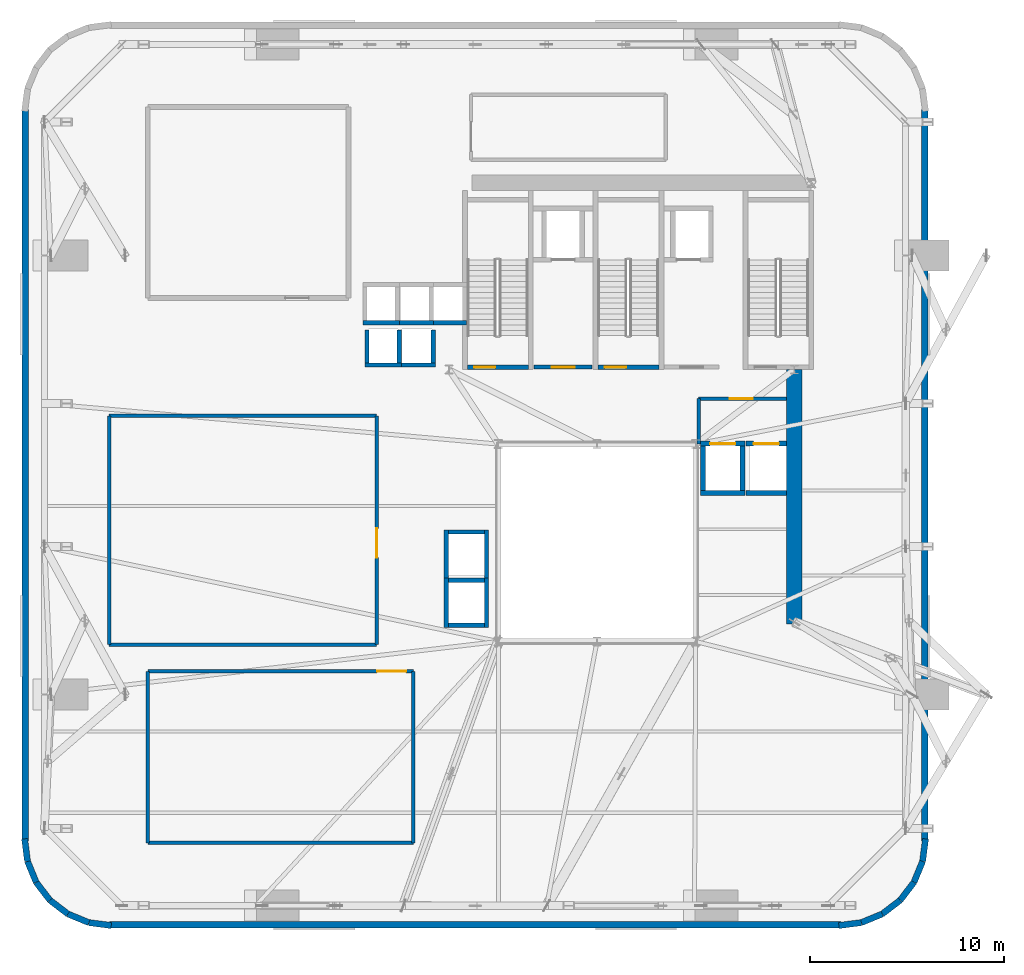
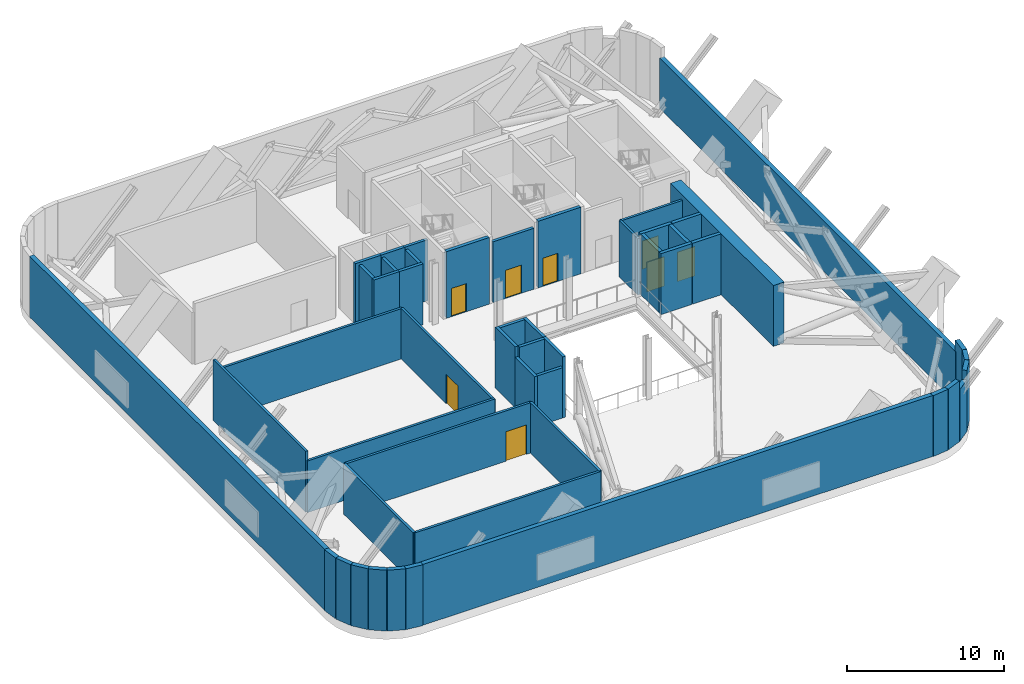
# One storey, part 8 of 12: 50 walls, 8 doors, 8 openings.
"""IFC4 building model written with IfcOpenShell, lengths in metres."""

from ifc_helpers import new_model, si_unit, direction, frame, frame_2d, origin, place, context, subcontext, project, spatial, rectangle, extrude, source, transform, mapped, material, layer, layer_set, type_object, element, fill, save


model = new_model("IFC4")

# Units and contexts
model_context = context("Model", 3, precision=1e-05, world=origin(), true_north=direction((0.0, 1.0)))
body_context = subcontext(model_context, "Body", "Model", "MODEL_VIEW")
ifc_project = project(units=[si_unit("LENGTHUNIT", "METRE"), si_unit("AREAUNIT", "SQUARE_METRE"), si_unit("VOLUMEUNIT", "CUBIC_METRE"), si_unit("PLANEANGLEUNIT", "RADIAN"), si_unit("MASSUNIT", "GRAM", prefix="KILO")], contexts=[model_context])

# Site, building, storey
site_placement = place(None, origin())
site = spatial("IfcSite", under=ifc_project, at=site_placement, CompositionType="ELEMENT")
building_placement = place(site_placement, origin())
building = spatial("IfcBuilding", under=site, at=building_placement, Name="Vardaveli Station Tower", CompositionType="ELEMENT")
storey_placement = place(building_placement, frame((0.0, 0.0, 166.800048828125)))
storey = spatial("IfcBuildingStorey", under=building, at=storey_placement, Name="L43", CompositionType="ELEMENT", Elevation=166.800048828125)

# Walls
ifc_material_1 = material(Name="Concrete C50/60", Category="concrete")
ifc_layer_1 = layer(ifc_material_1, 0.800048828125, Name="Concrete C50/60")
ifc_layer_set_1 = layer_set([ifc_layer_1], Name="Concrete C50/60")
wall_type_1 = type_object("IfcWallType", Name="WAL-CORE-800", PredefinedType="SHEAR", material=ifc_layer_set_1)
shared_shape_1 = source(origin(), body_context, "Body", "SweptSolid", [
    extrude(rectangle(XDim=13.14990234375, YDim=0.800048828125, at=frame_2d((6.574951171875, 0.0))), origin(), (0.0, 0.0, 1.0), 4.75),
])
wall_1_placement = place(storey_placement, frame((46.5, 17.5, 0.0), z_axis=(0.0, 0.0, 1.0), x_axis=(0.0, 1.0, 0.0)))
element("IfcWall", 1, at=wall_1_placement, inside=storey, type_object=wall_type_1, Name="SW-L43-EAST2", PredefinedType="SHEAR", context=body_context, shape_type="MappedRepresentation", body=[
    mapped(shared_shape_1, transform((0.0, 0.0, 0.0), scale=1.0)),
])
ifc_material_2 = material(Name="Precast concrete C45/55", Category="concrete")
ifc_layer_2 = layer(ifc_material_2, 0.320068359375, Name="Precast concrete C45/55")
ifc_layer_set_2 = layer_set([ifc_layer_2], Name="Precast concrete C45/55")
wall_type_2 = type_object("IfcWallType", Name="WAL-EXT-STONE-320", PredefinedType="SOLIDWALL", material=ifc_layer_set_2)
shared_shape_2 = source(origin(), body_context, "Body", "SweptSolid", [
    extrude(rectangle(XDim=37.7998046875, YDim=0.320068359375, at=frame_2d((18.89990234375, 0.0))), origin(), (0.0, 0.0, 1.0), 4.75),
])
wall_2_placement = place(storey_placement, frame((11.10009765625, 1.9599609375, 0.0), z_axis=(0.0, 0.0, 1.0), x_axis=(1.0, 0.0, 0.0)))
element("IfcWall", 2, at=wall_2_placement, inside=storey, type_object=wall_type_2, Name="EW-L43-S", PredefinedType="SOLIDWALL", context=body_context, shape_type="MappedRepresentation", body=[
    mapped(shared_shape_2, transform((0.0, 0.0, 0.0), scale=1.0)),
])
shared_shape_3 = source(origin(), body_context, "Body", "SweptSolid", [
    extrude(rectangle(XDim=37.800048828125, YDim=0.320068359375, at=frame_2d((18.89990234375, 0.0))), origin(), (0.0, 0.0, 1.0), 4.75),
])
wall_3_placement = place(storey_placement, frame((6.760009765625, 44.10009765625, 0.0), z_axis=(0.0, 0.0, 1.0), x_axis=(0.0, -1.0, 0.0)))
element("IfcWall", 3, at=wall_3_placement, inside=storey, type_object=wall_type_2, Name="EW-L43-W", PredefinedType="SOLIDWALL", context=body_context, shape_type="MappedRepresentation", body=[
    mapped(shared_shape_3, transform((0.0, 0.0, 0.0), scale=1.0)),
])
shared_shape_4 = source(origin(), body_context, "Body", "SweptSolid", [
    extrude(rectangle(XDim=37.800048828125, YDim=0.320068359375, at=frame_2d((18.89990234375, 0.0))), origin(), (0.0, 0.0, 1.0), 3.930908203125),
])
wall_4_placement = place(storey_placement, frame((53.239990234375, 6.300048828125, 0.0), z_axis=(0.0, 0.0, 1.0), x_axis=(0.0, 1.0, 0.0)))
element("IfcWall", 4, at=wall_4_placement, inside=storey, type_object=wall_type_2, Name="EW-L43-E", PredefinedType="SOLIDWALL", context=body_context, shape_type="MappedRepresentation", body=[
    mapped(shared_shape_4, transform((0.0, 0.0, 0.0), scale=1.0)),
])
shared_shape_5 = source(origin(), body_context, "Body", "SweptSolid", [
    extrude(rectangle(XDim=1.170654296875, YDim=0.320068359375, at=frame_2d((0.58544921875, 0.0))), origin(), (0.0, 0.0, 1.0), 4.75),
])
for number, where, z_axis, x_axis, name in (
    (5, (6.724365234375, 6.400634765625, 0.0), (0.0, 0.0, 1.0), (0.128269133229, -0.991739395941, 0.0), "EW-L43-CR1-1"),
    (6, (53.12548828125, 5.23974609375, 0.0), (0.0, 0.0, 1.0), (0.128269133229, 0.991739395941, 0.0), "EW-L43-CR2-6"),
):
    element("IfcWall", number, at=place(storey_placement, frame(where, z_axis=z_axis, x_axis=x_axis)), inside=storey, type_object=wall_type_2, Name=name, PredefinedType="SOLIDWALL", context=body_context, shape_type="MappedRepresentation", body=[
        mapped(shared_shape_5, transform((0.0, 0.0, 0.0), scale=1.0)),
    ])
shared_shape_6 = source(origin(), body_context, "Body", "SweptSolid", [
    extrude(rectangle(XDim=1.1689453125, YDim=0.320068359375, at=frame_2d((0.58447265625, 0.0))), origin(), (0.0, 0.0, 1.0), 4.75),
])
for number, where, z_axis, x_axis, name in (
    (7, (6.87451171875, 5.23974609375, 0.0), (0.0, 0.0, 1.0), (0.381127904695, -0.924522320046, 0.0), "EW-L43-CR1-2"),
    (8, (7.320068359375, 4.158935546875, 0.0), (0.0, 0.0, 1.0), (0.608387696831, -0.793639975269, 0.0), "EW-L43-CR1-3"),
    (9, (51.96875, 3.231201171875, 0.0), (0.0, 0.0, 1.0), (0.608387696831, 0.793639975269, 0.0), "EW-L43-CR2-4"),
    (10, (52.679931640625, 4.158935546875, 0.0), (0.0, 0.0, 1.0), (0.381127904695, 0.924522320046, 0.0), "EW-L43-CR2-5"),
):
    element("IfcWall", number, at=place(storey_placement, frame(where, z_axis=z_axis, x_axis=x_axis)), inside=storey, type_object=wall_type_2, Name=name, PredefinedType="SOLIDWALL", context=body_context, shape_type="MappedRepresentation", body=[
        mapped(shared_shape_6, transform((0.0, 0.0, 0.0), scale=1.0)),
    ])
shared_shape_7 = source(origin(), body_context, "Body", "SweptSolid", [
    extrude(rectangle(XDim=1.168701171875, YDim=0.320068359375, at=frame_2d((0.58447265625, 0.0))), origin(), (0.0, 0.0, 1.0), 4.75),
])
wall_5_placement = place(storey_placement, frame((8.03125, 3.231201171875, 0.0), z_axis=(0.0, 0.0, 1.0), x_axis=(0.793663520347, -0.608356981114, 0.0)))
element("IfcWall", 11, at=wall_5_placement, inside=storey, type_object=wall_type_2, Name="EW-L43-CR1-4", PredefinedType="SOLIDWALL", context=body_context, shape_type="MappedRepresentation", body=[
    mapped(shared_shape_7, transform((0.0, 0.0, 0.0), scale=1.0)),
])
shared_shape_8 = source(origin(), body_context, "Body", "SweptSolid", [
    extrude(rectangle(XDim=1.16943359375, YDim=0.320068359375, at=frame_2d((0.584716796875, 0.0))), origin(), (0.0, 0.0, 1.0), 4.75),
])
for number, where, z_axis, x_axis, name in (
    (12, (8.958740234375, 2.520263671875, 0.0), (0.0, 0.0, 1.0), (0.924479075121, -0.381232789334, 0.0), "EW-L43-CR1-5"),
    (13, (49.960205078125, 2.074462890625, 0.0), (0.0, 0.0, 1.0), (0.924479075121, 0.381232789334, 0.0), "EW-L43-CR2-2"),
):
    element("IfcWall", number, at=place(storey_placement, frame(where, z_axis=z_axis, x_axis=x_axis)), inside=storey, type_object=wall_type_2, Name=name, PredefinedType="SOLIDWALL", context=body_context, shape_type="MappedRepresentation", body=[
        mapped(shared_shape_8, transform((0.0, 0.0, 0.0), scale=1.0)),
    ])
shared_shape_9 = source(origin(), body_context, "Body", "SweptSolid", [
    extrude(rectangle(XDim=1.170166015625, YDim=0.320068359375, at=frame_2d((0.5849609375, 0.0))), origin(), (0.0, 0.0, 1.0), 4.75),
])
for number, where, z_axis, x_axis, name in (
    (14, (10.039794921875, 2.074462890625, 0.0), (0.0, 0.0, 1.0), (0.991762485493, -0.128090485085, 0.0), "EW-L43-CR1-6"),
    (15, (48.799560546875, 1.924560546875, 0.0), (0.0, 0.0, 1.0), (0.991762485493, 0.128090485085, 0.0), "EW-L43-CR2-1"),
):
    element("IfcWall", number, at=place(storey_placement, frame(where, z_axis=z_axis, x_axis=x_axis)), inside=storey, type_object=wall_type_2, Name=name, PredefinedType="SOLIDWALL", context=body_context, shape_type="MappedRepresentation", body=[
        mapped(shared_shape_9, transform((0.0, 0.0, 0.0), scale=1.0)),
    ])
shared_shape_10 = source(origin(), body_context, "Body", "SweptSolid", [
    extrude(rectangle(XDim=1.168701171875, YDim=0.320068359375, at=frame_2d((0.58447265625, 0.0))), origin(), (0.0, 0.0, 1.0), 4.029052734375),
])
wall_6_placement = place(storey_placement, frame((51.041259765625, 2.520263671875, 0.0), z_axis=(0.0, 0.0, 1.0), x_axis=(0.793663520347, 0.608356981114, 0.0)))
element("IfcWall", 16, at=wall_6_placement, inside=storey, type_object=wall_type_2, Name="EW-L43-CR2-3", PredefinedType="SOLIDWALL", context=body_context, shape_type="MappedRepresentation", body=[
    mapped(shared_shape_10, transform((0.0, 0.0, 0.0), scale=1.0)),
])

# Wall, opening, door
ifc_material_3 = material(Name="Concrete C40/50", Category="concrete")
ifc_layer_3 = layer(ifc_material_3, 0.25, Name="Concrete C40/50")
ifc_layer_set_3 = layer_set([ifc_layer_3], Name="Concrete C40/50")
wall_type_3 = type_object("IfcWallType", Name="WAL-SHAFT-250", PredefinedType="SOLIDWALL", material=ifc_layer_set_3)
shared_shape_11 = source(origin(), body_context, "Body", "SweptSolid", [
    extrude(rectangle(XDim=3.14990234375, YDim=0.25, at=frame_2d((1.574951171875, 0.0))), origin(), (0.0, 0.0, 1.0), 5.199951171875),
])
wall_7_placement = place(storey_placement, frame((29.60009765625, 30.77490234375, 0.0), z_axis=(0.0, 0.0, 1.0), x_axis=(1.0, 0.0, 0.0)))
wall_7 = element("IfcWall", 17, at=wall_7_placement, inside=storey, type_object=wall_type_3, Name="W-L43-ST-1S", PredefinedType="SOLIDWALL", context=body_context, shape_type="MappedRepresentation", body=[
    mapped(shared_shape_11, transform((0.0, 0.0, 0.0), scale=1.0)),
])
shared_shape_12 = source(origin(), body_context, "Body", "SweptSolid", [
    extrude(rectangle(XDim=1.10009765625, YDim=2.199951171875, at=frame_2d((0.550048828125, 1.10009765625))), frame((0.0, 0.135009765625, 0.0), z_axis=(0.0, -1.0, 0.0), x_axis=(1.0, 0.0, 0.0)), (0.0, 0.0, 1.0), 0.27001953125),
])
opening_1_placement = place(wall_7_placement, frame((0.35009765625, 0.0, 0.0)))
opening_1 = element("IfcOpeningElement", 18, at=opening_1_placement, cuts=wall_7, Name="Opening D-04", PredefinedType="OPENING", context=body_context, shape_type="MappedRepresentation", body=[
    mapped(shared_shape_12, transform((0.0, 0.0, 0.0), scale=1.0)),
])
ifc_material_4 = material(Name="Steel smokeproof fire doorset", Category="steel")
door_type_1 = type_object("IfcDoorType", Name="DR-ST-1100x2200", OperationType="NOTDEFINED", PredefinedType="DOOR", material=ifc_material_4)
shared_shape_13 = source(origin(), body_context, "Body", "SweptSolid", [
    extrude(rectangle(XDim=1.10009765625, YDim=2.199951171875, at=frame_2d((0.550048828125, 1.10009765625))), frame((0.0, 0.02490234375, 0.0), z_axis=(0.0, -1.0, 0.0), x_axis=(1.0, 0.0, 0.0)), (0.0, 0.0, 1.0), 0.050048828125),
])
door_1_placement = place(opening_1_placement, origin())
door_1 = element("IfcDoor", 19, at=door_1_placement, inside=storey, type_object=door_type_1, Name="DST-1-L43", OperationType="SINGLE_SWING_LEFT", OverallHeight=2.199951171875, OverallWidth=1.10009765625, PredefinedType="DOOR", context=body_context, shape_type="MappedRepresentation", body=[
    mapped(shared_shape_13, transform((0.0, 0.0, 0.0), scale=1.0)),
])
fill(opening_1, door_1)

wall_8_placement = place(storey_placement, frame((36.35009765625, 30.77490234375, 0.0), z_axis=(0.0, 0.0, 1.0), x_axis=(1.0, 0.0, 0.0)))
wall_8 = element("IfcWall", 20, at=wall_8_placement, inside=storey, type_object=wall_type_3, Name="W-L43-ST-2S", PredefinedType="SOLIDWALL", context=body_context, shape_type="MappedRepresentation", body=[
    mapped(shared_shape_11, transform((0.0, 0.0, 0.0), scale=1.0)),
])
opening_2_placement = place(wall_8_placement, frame((0.35009765625, 0.0, 0.0)))
opening_2 = element("IfcOpeningElement", 21, at=opening_2_placement, cuts=wall_8, Name="Opening D-04", PredefinedType="OPENING", context=body_context, shape_type="MappedRepresentation", body=[
    mapped(shared_shape_12, transform((0.0, 0.0, 0.0), scale=1.0)),
])
door_2_placement = place(opening_2_placement, origin())
door_2 = element("IfcDoor", 22, at=door_2_placement, inside=storey, type_object=door_type_1, Name="DST-2-L43", OperationType="SINGLE_SWING_LEFT", OverallHeight=2.199951171875, OverallWidth=1.10009765625, PredefinedType="DOOR", context=body_context, shape_type="MappedRepresentation", body=[
    mapped(shared_shape_13, transform((0.0, 0.0, 0.0), scale=1.0)),
])
fill(opening_2, door_2)

ifc_layer_4 = layer(ifc_material_3, 0.219970703125, Name="Concrete C40/50")
ifc_layer_set_4 = layer_set([ifc_layer_4], Name="Concrete C40/50")
wall_type_4 = type_object("IfcWallType", Name="WAL-FFLOBBY-220", PredefinedType="SOLIDWALL", material=ifc_layer_set_4)
shared_shape_14 = source(origin(), body_context, "Body", "SweptSolid", [
    extrude(rectangle(XDim=3.0, YDim=0.219970703125, at=frame_2d((1.5, 0.0))), origin(), (0.0, 0.0, 1.0), 4.75),
])
wall_9_placement = place(storey_placement, frame((33.050048828125, 30.780029296875, 0.0), z_axis=(0.0, 0.0, 1.0), x_axis=(1.0, 0.0, 0.0)))
wall_9 = element("IfcWall", 23, at=wall_9_placement, inside=storey, type_object=wall_type_4, Name="W-L43-FFL1S", PredefinedType="SOLIDWALL", context=body_context, shape_type="MappedRepresentation", body=[
    mapped(shared_shape_14, transform((0.0, 0.0, 0.0), scale=1.0)),
])
shared_shape_15 = source(origin(), body_context, "Body", "SweptSolid", [
    extrude(rectangle(XDim=1.199951171875, YDim=2.199951171875, at=frame_2d((0.60009765625, 1.10009765625))), frame((0.0, 0.1201171875, 0.0), z_axis=(0.0, -1.0, 0.0), x_axis=(1.0, 0.0, 0.0)), (0.0, 0.0, 1.0), 0.239990234375),
])
opening_3_placement = place(wall_9_placement, frame((0.89990234375, 0.0, 0.0)))
opening_3 = element("IfcOpeningElement", 24, at=opening_3_placement, cuts=wall_9, Name="Opening D-03", PredefinedType="OPENING", context=body_context, shape_type="MappedRepresentation", body=[
    mapped(shared_shape_15, transform((0.0, 0.0, 0.0), scale=1.0)),
])
door_type_2 = type_object("IfcDoorType", Name="DR-FFL-1200x2200", OperationType="NOTDEFINED", PredefinedType="DOOR", material=ifc_material_4)
shared_shape_16 = source(origin(), body_context, "Body", "SweptSolid", [
    extrude(rectangle(XDim=1.199951171875, YDim=2.199951171875, at=frame_2d((0.60009765625, 1.10009765625))), frame((0.0, 0.02490234375, 0.0), z_axis=(0.0, -1.0, 0.0), x_axis=(1.0, 0.0, 0.0)), (0.0, 0.0, 1.0), 0.050048828125),
])
door_3_placement = place(opening_3_placement, origin())
door_3 = element("IfcDoor", 25, at=door_3_placement, inside=storey, type_object=door_type_2, Name="DFFL1-L43", OperationType="SINGLE_SWING_LEFT", OverallHeight=2.199951171875, OverallWidth=1.199951171875, PredefinedType="DOOR", context=body_context, shape_type="MappedRepresentation", body=[
    mapped(shared_shape_16, transform((0.0, 0.0, 0.0), scale=1.0)),
])
fill(opening_3, door_3)

# Walls
shared_shape_17 = source(origin(), body_context, "Body", "SweptSolid", [
    extrude(rectangle(XDim=1.889892578125, YDim=0.219970703125, at=frame_2d((0.94482421875, 0.0))), origin(), (0.0, 0.0, 1.0), 4.75),
])
for number, where, z_axis, x_axis, name in (
    (26, (24.205078125, 33.06494140625, 0.0), (0.0, 0.0, 1.0), (1.0, 0.0, 0.0), "SHW-HL2-01-L43-S"),
    (27, (25.955078125, 33.06494140625, 0.0), (0.0, 0.0, 1.0), (1.0, 0.0, 0.0), "SHW-HL2-02-L43-S"),
    (28, (27.655029296875, 33.06494140625, 0.0), (0.0, 0.0, 1.0), (1.0, 0.0, 0.0), "SHW-HL2-03-L43-S"),
):
    element("IfcWall", number, at=place(storey_placement, frame(where, z_axis=z_axis, x_axis=x_axis)), inside=storey, type_object=wall_type_4, Name=name, PredefinedType="SOLIDWALL", context=body_context, shape_type="MappedRepresentation", body=[
        mapped(shared_shape_17, transform((0.0, 0.0, 0.0), scale=1.0)),
    ])
shared_shape_18 = source(origin(), body_context, "Body", "SweptSolid", [
    extrude(rectangle(XDim=1.89013671875, YDim=0.219970703125, at=frame_2d((0.945068359375, 0.0))), origin(), (0.0, 0.0, 1.0), 4.75),
])
for number, where, z_axis, x_axis, name in (
    (29, (24.304931640625, 30.889892578125, 0.0), (0.0, 0.0, 1.0), (1.0, 0.0, 0.0), "SHW-SHU-01-L43-S"),
    (30, (26.054931640625, 30.889892578125, 0.0), (0.0, 0.0, 1.0), (1.0, 0.0, 0.0), "SHW-SHU-02-L43-S"),
):
    element("IfcWall", number, at=place(storey_placement, frame(where, z_axis=z_axis, x_axis=x_axis)), inside=storey, type_object=wall_type_4, Name=name, PredefinedType="SOLIDWALL", context=body_context, shape_type="MappedRepresentation", body=[
        mapped(shared_shape_18, transform((0.0, 0.0, 0.0), scale=1.0)),
    ])
shared_shape_19 = source(origin(), body_context, "Body", "SweptSolid", [
    extrude(rectangle(XDim=1.699951171875, YDim=0.219970703125, at=frame_2d((0.85009765625, 0.0))), origin(), (0.0, 0.0, 1.0), 4.75),
])
for number, where, z_axis, x_axis, name in (
    (31, (24.4150390625, 31.0, 0.0), (0.0, 0.0, 1.0), (0.0, 1.0, 0.0), "SHW-SHU-01-L43-W"),
    (32, (26.0849609375, 31.0, 0.0), (0.0, 0.0, 1.0), (0.0, 1.0, 0.0), "SHW-SHU-01-L43-E"),
    (33, (27.8349609375, 31.0, 0.0), (0.0, 0.0, 1.0), (0.0, 1.0, 0.0), "SHW-SHU-02-L43-E"),
):
    element("IfcWall", number, at=place(storey_placement, frame(where, z_axis=z_axis, x_axis=x_axis)), inside=storey, type_object=wall_type_4, Name=name, PredefinedType="SOLIDWALL", context=body_context, shape_type="MappedRepresentation", body=[
        mapped(shared_shape_19, transform((0.0, 0.0, 0.0), scale=1.0)),
    ])
shared_shape_20 = source(origin(), body_context, "Body", "SweptSolid", [
    extrude(rectangle(XDim=1.85009765625, YDim=0.219970703125, at=frame_2d((0.925048828125, 0.0))), origin(), (0.0, 0.0, 1.0), 4.75),
])
for number, where, z_axis, x_axis, name in (
    (34, (28.625, 19.760009765625, 0.0), (0.0, 0.0, 1.0), (1.0, 0.0, 0.0), "SHW-OBS-01-L43-N"),
    (35, (28.625, 22.260009765625, 0.0), (0.0, 0.0, 1.0), (1.0, 0.0, 0.0), "SHW-OBS-02-L43-N"),
):
    element("IfcWall", number, at=place(storey_placement, frame(where, z_axis=z_axis, x_axis=x_axis)), inside=storey, type_object=wall_type_4, Name=name, PredefinedType="SOLIDWALL", context=body_context, shape_type="MappedRepresentation", body=[
        mapped(shared_shape_20, transform((0.0, 0.0, 0.0), scale=1.0)),
    ])
shared_shape_21 = source(origin(), body_context, "Body", "SweptSolid", [
    extrude(rectangle(XDim=2.5400390625, YDim=0.219970703125, at=frame_2d((1.27001953125, 0.0))), origin(), (0.0, 0.0, 1.0), 4.75),
])
for number, where, z_axis, x_axis, name in (
    (36, (30.5849609375, 17.330078125, 0.0), (0.0, 0.0, 1.0), (0.0, 1.0, 0.0), "SHW-OBS-01-L43-E"),
    (37, (28.514892578125, 19.830078125, 0.0), (0.0, 0.0, 1.0), (0.0, 1.0, 0.0), "SHW-OBS-02-L43-W"),
    (38, (30.5849609375, 19.830078125, 0.0), (0.0, 0.0, 1.0), (0.0, 1.0, 0.0), "SHW-OBS-02-L43-E"),
):
    element("IfcWall", number, at=place(storey_placement, frame(where, z_axis=z_axis, x_axis=x_axis)), inside=storey, type_object=wall_type_4, Name=name, PredefinedType="SOLIDWALL", context=body_context, shape_type="MappedRepresentation", body=[
        mapped(shared_shape_21, transform((0.0, 0.0, 0.0), scale=1.0)),
    ])
shared_shape_22 = source(origin(), body_context, "Body", "SweptSolid", [
    extrude(rectangle(XDim=1.85009765625, YDim=0.219970703125, at=frame_2d((0.925048828125, 0.0))), origin(), (0.0, 0.0, 1.0), 3.927978515625),
])
wall_10_placement = place(storey_placement, frame((28.625, 17.43994140625, 0.0), z_axis=(0.0, 0.0, 1.0), x_axis=(1.0, 0.0, 0.0)))
element("IfcWall", 39, at=wall_10_placement, inside=storey, type_object=wall_type_4, Name="SHW-OBS-01-L43-S", PredefinedType="SOLIDWALL", context=body_context, shape_type="MappedRepresentation", body=[
    mapped(shared_shape_22, transform((0.0, 0.0, 0.0), scale=1.0)),
])
shared_shape_23 = source(origin(), body_context, "Body", "SweptSolid", [
    extrude(rectangle(XDim=2.5400390625, YDim=0.219970703125, at=frame_2d((1.27001953125, 0.0))), origin(), (0.0, 0.0, 1.0), 3.927978515625),
])
wall_11_placement = place(storey_placement, frame((28.514892578125, 17.330078125, 0.0), z_axis=(0.0, 0.0, 1.0), x_axis=(0.0, 1.0, 0.0)))
element("IfcWall", 40, at=wall_11_placement, inside=storey, type_object=wall_type_4, Name="SHW-OBS-01-L43-W", PredefinedType="SOLIDWALL", context=body_context, shape_type="MappedRepresentation", body=[
    mapped(shared_shape_23, transform((0.0, 0.0, 0.0), scale=1.0)),
])
shared_shape_24 = source(origin(), body_context, "Body", "SweptSolid", [
    extrude(rectangle(XDim=2.300048828125, YDim=0.25, at=frame_2d((1.14990234375, 0.0))), origin(), (0.0, 0.0, 1.0), 4.75),
])
wall_12_placement = place(storey_placement, frame((41.64990234375, 24.27490234375, 0.0), z_axis=(0.0, 0.0, 1.0), x_axis=(1.0, 0.0, 0.0)))
element("IfcWall", 41, at=wall_12_placement, inside=storey, type_object=wall_type_3, Name="SHW-SRV-01-L43-S", PredefinedType="SOLIDWALL", context=body_context, shape_type="MappedRepresentation", body=[
    mapped(shared_shape_24, transform((0.0, 0.0, 0.0), scale=1.0)),
])

# Wall, opening, door
wall_13_placement = place(storey_placement, frame((41.64990234375, 26.824951171875, 0.0), z_axis=(0.0, 0.0, 1.0), x_axis=(1.0, 0.0, 0.0)))
wall_13 = element("IfcWall", 42, at=wall_13_placement, inside=storey, type_object=wall_type_3, Name="SHW-SRV-01-L43-N", PredefinedType="SOLIDWALL", context=body_context, shape_type="MappedRepresentation", body=[
    mapped(shared_shape_24, transform((0.0, 0.0, 0.0), scale=1.0)),
])
shared_shape_25 = source(origin(), body_context, "Body", "SweptSolid", [
    extrude(rectangle(XDim=1.300048828125, YDim=2.300048828125, at=frame_2d((0.64990234375, 1.14990234375))), frame((0.0, 0.135009765625, 0.0), z_axis=(0.0, -1.0, 0.0), x_axis=(1.0, 0.0, 0.0)), (0.0, 0.0, 1.0), 0.27001953125),
])
opening_4_placement = place(wall_13_placement, frame((0.5, 0.0, 0.0)))
opening_4 = element("IfcOpeningElement", 43, at=opening_4_placement, cuts=wall_13, Name="Opening LD-03", PredefinedType="OPENING", context=body_context, shape_type="MappedRepresentation", body=[
    mapped(shared_shape_25, transform((0.0, 0.0, 0.0), scale=1.0)),
])
ifc_material_5 = material(Name="Brushed stainless steel", Category="steel")
door_type_3 = type_object("IfcDoorType", Name="DR-LD-1300x2300", OperationType="DOUBLE_DOOR_SLIDING", PredefinedType="DOOR", material=ifc_material_5)
shared_shape_26 = source(origin(), body_context, "Body", "SweptSolid", [
    extrude(rectangle(XDim=1.300048828125, YDim=2.300048828125, at=frame_2d((0.64990234375, 1.14990234375))), frame((0.0, 0.02490234375, 0.0), z_axis=(0.0, -1.0, 0.0), x_axis=(1.0, 0.0, 0.0)), (0.0, 0.0, 1.0), 0.050048828125),
])
door_4_placement = place(opening_4_placement, origin())
door_4 = element("IfcDoor", 44, at=door_4_placement, inside=storey, type_object=door_type_3, Name="LD-SRV-01-L43", OperationType="DOUBLE_DOOR_SLIDING", OverallHeight=2.300048828125, OverallWidth=1.300048828125, PredefinedType="DOOR", context=body_context, shape_type="MappedRepresentation", body=[
    mapped(shared_shape_26, transform((0.0, 0.0, 0.0), scale=1.0)),
])
fill(opening_4, door_4)

# Walls
for number, where, z_axis, x_axis, name in (
    (45, (41.77490234375, 24.39990234375, 0.0), (0.0, 0.0, 1.0), (0.0, 1.0, 0.0), "SHW-SRV-01-L43-W"),
    (46, (43.824951171875, 24.39990234375, 0.0), (0.0, 0.0, 1.0), (0.0, 1.0, 0.0), "SHW-SRV-01-L43-E"),
):
    element("IfcWall", number, at=place(storey_placement, frame(where, z_axis=z_axis, x_axis=x_axis)), inside=storey, type_object=wall_type_3, Name=name, PredefinedType="SOLIDWALL", context=body_context, shape_type="MappedRepresentation", body=[
        mapped(shared_shape_24, transform((0.0, 0.0, 0.0), scale=1.0)),
    ])
shared_shape_27 = source(origin(), body_context, "Body", "SweptSolid", [
    extrude(rectangle(XDim=2.10009765625, YDim=0.25, at=frame_2d((1.050048828125, 0.0))), origin(), (0.0, 0.0, 1.0), 4.75),
])
wall_14_placement = place(storey_placement, frame((44.0, 24.27490234375, 0.0), z_axis=(0.0, 0.0, 1.0), x_axis=(1.0, 0.0, 0.0)))
element("IfcWall", 47, at=wall_14_placement, inside=storey, type_object=wall_type_3, Name="SHW-SRV-02-L43-S", PredefinedType="SOLIDWALL", context=body_context, shape_type="MappedRepresentation", body=[
    mapped(shared_shape_27, transform((0.0, 0.0, 0.0), scale=1.0)),
])

# Wall, opening, door
wall_15_placement = place(storey_placement, frame((44.0, 26.824951171875, 0.0), z_axis=(0.0, 0.0, 1.0), x_axis=(1.0, 0.0, 0.0)))
wall_15 = element("IfcWall", 48, at=wall_15_placement, inside=storey, type_object=wall_type_3, Name="SHW-SRV-02-L43-N", PredefinedType="SOLIDWALL", context=body_context, shape_type="MappedRepresentation", body=[
    mapped(shared_shape_27, transform((0.0, 0.0, 0.0), scale=1.0)),
])
opening_5_placement = place(wall_15_placement, frame((0.39990234375, 0.0, 0.0)))
opening_5 = element("IfcOpeningElement", 49, at=opening_5_placement, cuts=wall_15, Name="Opening LD-03", PredefinedType="OPENING", context=body_context, shape_type="MappedRepresentation", body=[
    mapped(shared_shape_25, transform((0.0, 0.0, 0.0), scale=1.0)),
])
door_5_placement = place(opening_5_placement, origin())
door_5 = element("IfcDoor", 50, at=door_5_placement, inside=storey, type_object=door_type_3, Name="LD-SRV-02-L43", OperationType="DOUBLE_DOOR_SLIDING", OverallHeight=2.300048828125, OverallWidth=1.300048828125, PredefinedType="DOOR", context=body_context, shape_type="MappedRepresentation", body=[
    mapped(shared_shape_26, transform((0.0, 0.0, 0.0), scale=1.0)),
])
fill(opening_5, door_5)

ifc_material_6 = material(Name="Fire-rated gypsum stud partition")
ifc_layer_5 = layer(ifc_material_6, 0.179931640625, Name="Fire-rated gypsum stud partition")
ifc_layer_set_5 = layer_set([ifc_layer_5], Name="Fire-rated gypsum stud partition")
wall_type_5 = type_object("IfcWallType", Name="WAL-CORR-180", PredefinedType="PARTITIONING", material=ifc_layer_set_5)
shared_shape_28 = source(origin(), body_context, "Body", "SweptSolid", [
    extrude(rectangle(XDim=11.820068359375, YDim=0.179931640625, at=frame_2d((5.91015625, 0.0))), origin(), (0.0, 0.0, 1.0), 3.927978515625),
])
wall_16_placement = place(storey_placement, frame((24.909912109375, 16.43994140625, 0.0), z_axis=(0.0, 0.0, 1.0), x_axis=(0.0, 1.0, 0.0)))
wall_16 = element("IfcWall", 51, at=wall_16_placement, inside=storey, type_object=wall_type_5, Name="W-L43-PL4-E", PredefinedType="PARTITIONING", context=body_context, shape_type="MappedRepresentation", body=[
    mapped(shared_shape_28, transform((0.0, 0.0, 0.0), scale=1.0)),
])
shared_shape_29 = source(origin(), body_context, "Body", "SweptSolid", [
    extrude(rectangle(XDim=1.5, YDim=2.300048828125, at=frame_2d((0.75, 1.14990234375))), frame((0.0, 0.10009765625, 0.0), z_axis=(0.0, -1.0, 0.0), x_axis=(1.0, 0.0, 0.0)), (0.0, 0.0, 1.0), 0.199951171875),
])
opening_6_placement = place(wall_16_placement, frame((4.5, 0.0, 0.0)))
opening_6 = element("IfcOpeningElement", 52, at=opening_6_placement, cuts=wall_16, Name="Opening D-02", PredefinedType="OPENING", context=body_context, shape_type="MappedRepresentation", body=[
    mapped(shared_shape_29, transform((0.0, 0.0, 0.0), scale=1.0)),
])
ifc_material_7 = material(Name="Galvanised steel acoustic doorset", Category="steel")
door_type_4 = type_object("IfcDoorType", Name="DR-PLANT-1500x2300", OperationType="DOUBLE_DOOR_SINGLE_SWING", PredefinedType="DOOR", material=ifc_material_7)
shared_shape_30 = source(origin(), body_context, "Body", "SweptSolid", [
    extrude(rectangle(XDim=1.5, YDim=2.300048828125, at=frame_2d((0.75, 1.14990234375))), frame((0.0, 0.02490234375, 0.0), z_axis=(0.0, -1.0, 0.0), x_axis=(1.0, 0.0, 0.0)), (0.0, 0.0, 1.0), 0.050048828125),
])
door_6_placement = place(opening_6_placement, origin())
door_6 = element("IfcDoor", 53, at=door_6_placement, inside=storey, type_object=door_type_4, Name="D-L43-P4", OperationType="DOUBLE_DOOR_SINGLE_SWING", OverallHeight=2.300048828125, OverallWidth=1.5, PredefinedType="DOOR", context=body_context, shape_type="MappedRepresentation", body=[
    mapped(shared_shape_30, transform((0.0, 0.0, 0.0), scale=1.0)),
])
fill(opening_6, door_6)

# Walls
shared_shape_31 = source(origin(), body_context, "Body", "SweptSolid", [
    extrude(rectangle(XDim=11.820068359375, YDim=0.179931640625, at=frame_2d((5.91015625, 0.0))), origin(), (0.0, 0.0, 1.0), 4.75),
])
wall_17_placement = place(storey_placement, frame((11.090087890625, 16.43994140625, 0.0), z_axis=(0.0, 0.0, 1.0), x_axis=(0.0, 1.0, 0.0)))
element("IfcWall", 54, at=wall_17_placement, inside=storey, type_object=wall_type_5, Name="W-L43-PL4-W", PredefinedType="PARTITIONING", context=body_context, shape_type="MappedRepresentation", body=[
    mapped(shared_shape_31, transform((0.0, 0.0, 0.0), scale=1.0)),
])
shared_shape_32 = source(origin(), body_context, "Body", "SweptSolid", [
    extrude(rectangle(XDim=8.8701171875, YDim=0.179931640625, at=frame_2d((4.43505859375, 0.0))), origin(), (0.0, 0.0, 1.0), 3.927978515625),
])
for number, where, z_axis, x_axis, name in (
    (55, (13.090087890625, 6.18994140625, 0.0), (0.0, 0.0, 1.0), (0.0, 1.0, 0.0), "W-L43-PL1-W"),
    (56, (26.81005859375, 6.18994140625, 0.0), (0.0, 0.0, 1.0), (0.0, 1.0, 0.0), "W-L43-PL1-E"),
):
    element("IfcWall", number, at=place(storey_placement, frame(where, z_axis=z_axis, x_axis=x_axis)), inside=storey, type_object=wall_type_5, Name=name, PredefinedType="PARTITIONING", context=body_context, shape_type="MappedRepresentation", body=[
        mapped(shared_shape_32, transform((0.0, 0.0, 0.0), scale=1.0)),
    ])
shared_shape_33 = source(origin(), body_context, "Body", "SweptSolid", [
    extrude(rectangle(XDim=2.349853515625, YDim=0.179931640625, at=frame_2d((1.1748046875, 0.0))), origin(), (0.0, 0.0, 1.0), 4.3818359375),
])
wall_18_placement = place(storey_placement, frame((41.550048828125, 26.800048828125, 0.0), z_axis=(0.0, 0.0, 1.0), x_axis=(0.0, 1.0, 0.0)))
element("IfcWall", 57, at=wall_18_placement, inside=storey, type_object=wall_type_5, Name="W-L43-SVFW", PredefinedType="PARTITIONING", context=body_context, shape_type="MappedRepresentation", body=[
    mapped(shared_shape_33, transform((0.0, 0.0, 0.0), scale=1.0)),
])

# Wall, opening, door
shared_shape_34 = source(origin(), body_context, "Body", "SweptSolid", [
    extrude(rectangle(XDim=13.719970703125, YDim=0.179931640625, at=frame_2d((6.85986328125, 0.0))), origin(), (0.0, 0.0, 1.0), 3.927978515625),
])
wall_19_placement = place(storey_placement, frame((13.090087890625, 15.06005859375, 0.0), z_axis=(0.0, 0.0, 1.0), x_axis=(1.0, 0.0, 0.0)))
wall_19 = element("IfcWall", 58, at=wall_19_placement, inside=storey, type_object=wall_type_5, Name="W-L43-PL1-N", PredefinedType="PARTITIONING", context=body_context, shape_type="MappedRepresentation", body=[
    mapped(shared_shape_34, transform((0.0, 0.0, 0.0), scale=1.0)),
])
opening_7_placement = place(wall_19_placement, frame((11.85009765625, 0.0, 0.0)))
opening_7 = element("IfcOpeningElement", 59, at=opening_7_placement, cuts=wall_19, Name="Opening D-02", PredefinedType="OPENING", context=body_context, shape_type="MappedRepresentation", body=[
    mapped(shared_shape_29, transform((0.0, 0.0, 0.0), scale=1.0)),
])
door_7_placement = place(opening_7_placement, origin())
door_7 = element("IfcDoor", 60, at=door_7_placement, inside=storey, type_object=door_type_4, Name="D-L43-P1", OperationType="DOUBLE_DOOR_SINGLE_SWING", OverallHeight=2.300048828125, OverallWidth=1.5, PredefinedType="DOOR", context=body_context, shape_type="MappedRepresentation", body=[
    mapped(shared_shape_30, transform((0.0, 0.0, 0.0), scale=1.0)),
])
fill(opening_7, door_7)

# Wall
wall_20_placement = place(storey_placement, frame((13.090087890625, 6.18994140625, 0.0), z_axis=(0.0, 0.0, 1.0), x_axis=(1.0, 0.0, 0.0)))
element("IfcWall", 61, at=wall_20_placement, inside=storey, type_object=wall_type_5, Name="W-L43-PL1-S", PredefinedType="PARTITIONING", context=body_context, shape_type="MappedRepresentation", body=[
    mapped(shared_shape_34, transform((0.0, 0.0, 0.0), scale=1.0)),
])

# Wall, opening, door
shared_shape_35 = source(origin(), body_context, "Body", "SweptSolid", [
    extrude(rectangle(XDim=4.5478515625, YDim=0.179931640625, at=frame_2d((2.27392578125, 0.0))), origin(), (0.0, 0.0, 1.0), 4.3818359375),
])
wall_21_placement = place(storey_placement, frame((41.550048828125, 29.14990234375, 0.0), z_axis=(0.0, 0.0, 1.0), x_axis=(1.0, 0.0, 0.0)))
wall_21 = element("IfcWall", 62, at=wall_21_placement, inside=storey, type_object=wall_type_5, Name="W-L43-SVFN", PredefinedType="PARTITIONING", context=body_context, shape_type="MappedRepresentation", body=[
    mapped(shared_shape_35, transform((0.0, 0.0, 0.0), scale=1.0)),
])
shared_shape_36 = source(origin(), body_context, "Body", "SweptSolid", [
    extrude(rectangle(XDim=1.199951171875, YDim=2.199951171875, at=frame_2d((0.60009765625, 1.10009765625))), frame((0.0, 0.10009765625, 0.0), z_axis=(0.0, -1.0, 0.0), x_axis=(1.0, 0.0, 0.0)), (0.0, 0.0, 1.0), 0.199951171875),
])
opening_8_placement = place(wall_21_placement, frame((1.60009765625, 0.0, 0.0)))
opening_8 = element("IfcOpeningElement", 63, at=opening_8_placement, cuts=wall_21, Name="Opening D-03", PredefinedType="OPENING", context=body_context, shape_type="MappedRepresentation", body=[
    mapped(shared_shape_36, transform((0.0, 0.0, 0.0), scale=1.0)),
])
door_8_placement = place(opening_8_placement, origin())
door_8 = element("IfcDoor", 64, at=door_8_placement, inside=storey, type_object=door_type_2, Name="D-L43-SVF", OperationType="SINGLE_SWING_LEFT", OverallHeight=2.199951171875, OverallWidth=1.199951171875, PredefinedType="DOOR", context=body_context, shape_type="MappedRepresentation", body=[
    mapped(shared_shape_16, transform((0.0, 0.0, 0.0), scale=1.0)),
])
fill(opening_8, door_8)

# Walls
shared_shape_37 = source(origin(), body_context, "Body", "SweptSolid", [
    extrude(rectangle(XDim=13.81982421875, YDim=0.179931640625, at=frame_2d((6.909912109375, 0.0))), origin(), (0.0, 0.0, 1.0), 4.02587890625),
])
wall_22_placement = place(storey_placement, frame((11.090087890625, 16.43994140625, 0.0), z_axis=(0.0, 0.0, 1.0), x_axis=(1.0, 0.0, 0.0)))
element("IfcWall", 65, at=wall_22_placement, inside=storey, type_object=wall_type_5, Name="W-L43-PL4-S", PredefinedType="PARTITIONING", context=body_context, shape_type="MappedRepresentation", body=[
    mapped(shared_shape_37, transform((0.0, 0.0, 0.0), scale=1.0)),
])
shared_shape_38 = source(origin(), body_context, "Body", "SweptSolid", [
    extrude(rectangle(XDim=13.81982421875, YDim=0.179931640625, at=frame_2d((6.909912109375, 0.0))), origin(), (0.0, 0.0, 1.0), 3.927978515625),
])
wall_23_placement = place(storey_placement, frame((11.090087890625, 28.260009765625, 0.0), z_axis=(0.0, 0.0, 1.0), x_axis=(1.0, 0.0, 0.0)))
element("IfcWall", 66, at=wall_23_placement, inside=storey, type_object=wall_type_5, Name="W-L43-PL4-N", PredefinedType="PARTITIONING", context=body_context, shape_type="MappedRepresentation", body=[
    mapped(shared_shape_38, transform((0.0, 0.0, 0.0), scale=1.0)),
])

save(model, "model.ifc")
